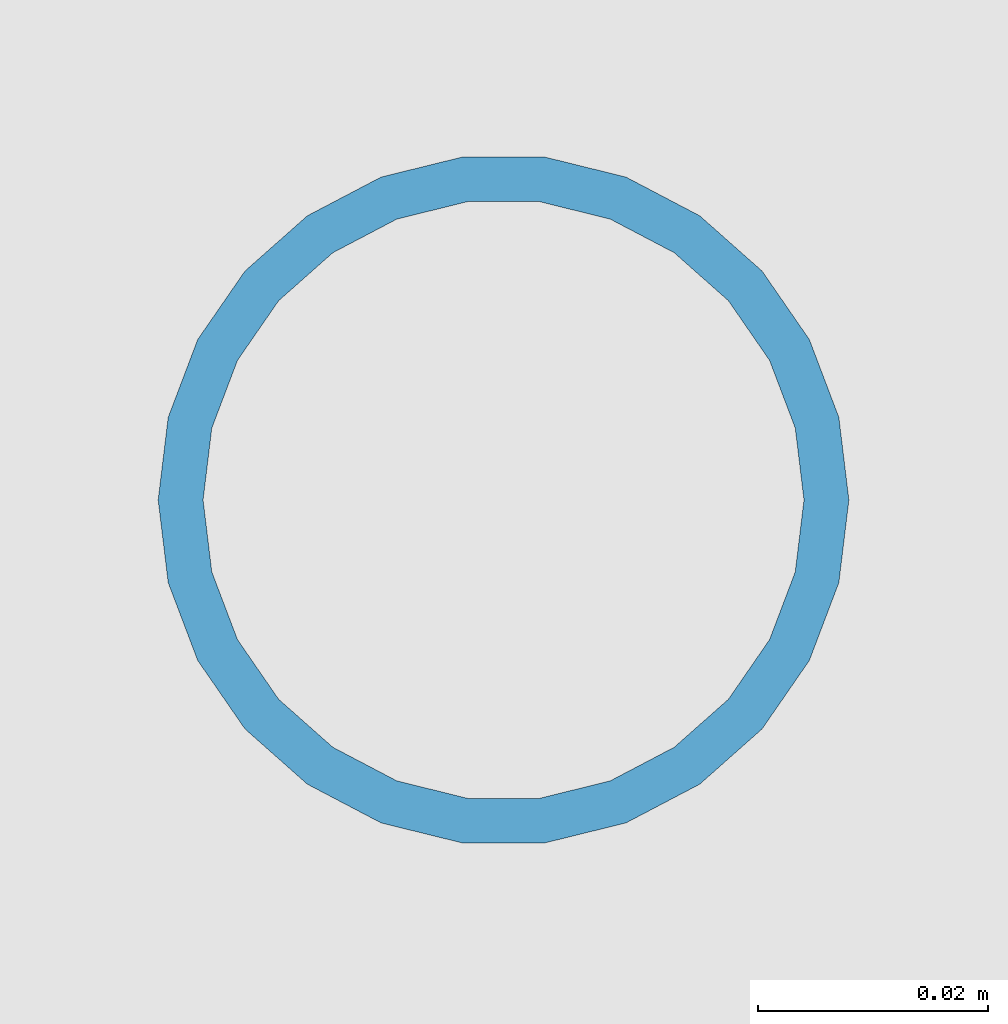
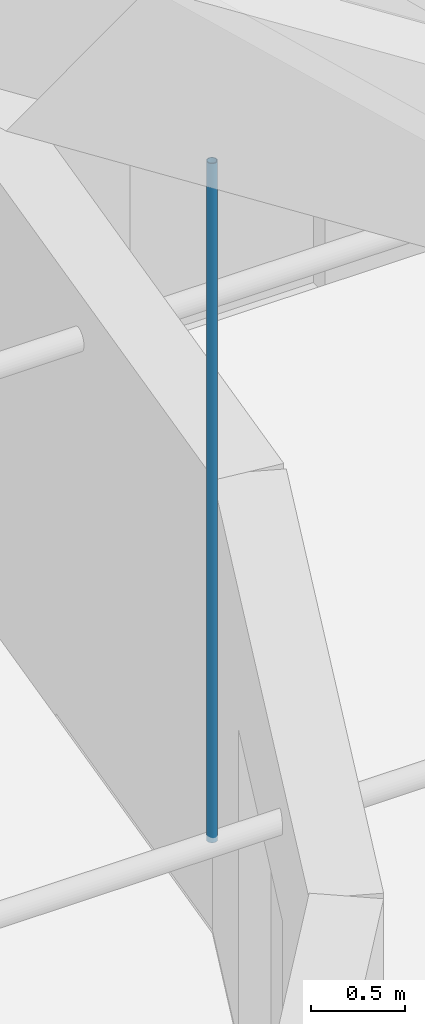
# One storey, part 39 of 94: 1 member.
"""IFC4 building model written with IfcOpenShell, lengths in metres."""

from ifc_helpers import new_model, si_unit, direction, frame, origin, origin_2d, place, context, subcontext, project, spatial, hollow_circle, extrude, material, material_profile, profile_set, type_object, element, save


model = new_model("IFC4")

# Units and contexts
model_context = context("Model", 3, precision=1e-05, world=origin(), true_north=direction((0.0, 1.0)))
body_context = subcontext(model_context, "Body", "Model", "MODEL_VIEW")
ifc_project = project(units=[si_unit("LENGTHUNIT", "METRE"), si_unit("AREAUNIT", "SQUARE_METRE"), si_unit("VOLUMEUNIT", "CUBIC_METRE"), si_unit("PLANEANGLEUNIT", "RADIAN"), si_unit("MASSUNIT", "GRAM", prefix="KILO")], contexts=[model_context])

# Site, building, storey
site_placement = place(None, origin())
site = spatial("IfcSite", under=ifc_project, at=site_placement, CompositionType="ELEMENT")
building_placement = place(site_placement, origin())
building = spatial("IfcBuilding", under=site, at=building_placement, Name="Lunette Opera House", CompositionType="ELEMENT")
storey_placement = place(building_placement, frame((0.0, 0.0, 22.5)))
storey = spatial("IfcBuildingStorey", under=building, at=storey_placement, Name="L04", CompositionType="ELEMENT", Elevation=22.5)

# Member
ifc_material = material(Name="Steel S355", Category="steel")
ifc_material_profile = material_profile(ifc_material, hollow_circle(Radius=0.030029296875, WallThickness=0.00390625, at=origin_2d()), Name="CHS 60.3X4")
ifc_profile_set = profile_set([ifc_material_profile], Name="Steel S355")
member_type = type_object("IfcMemberType", Name="CHS 60.3X4", PredefinedType="POST", material=ifc_profile_set)
member_placement = place(storey_placement, frame((109.0, 77.54296875, 2.72998046875), z_axis=(0.0, 0.0, 1.0), x_axis=(1.0, 0.0, 0.0)))
element("IfcMember", 1, at=member_placement, inside=storey, type_object=member_type, Name="mem-AU-L04-HG4-109", PredefinedType="POST", context=body_context, shape_type="SweptSolid", body=[
    extrude(hollow_circle(Radius=0.030029296875, WallThickness=0.00390625, at=origin_2d()), origin(), (0.0, 0.0, 1.0), 4.4111328125),
])

save(model, "model.ifc")
